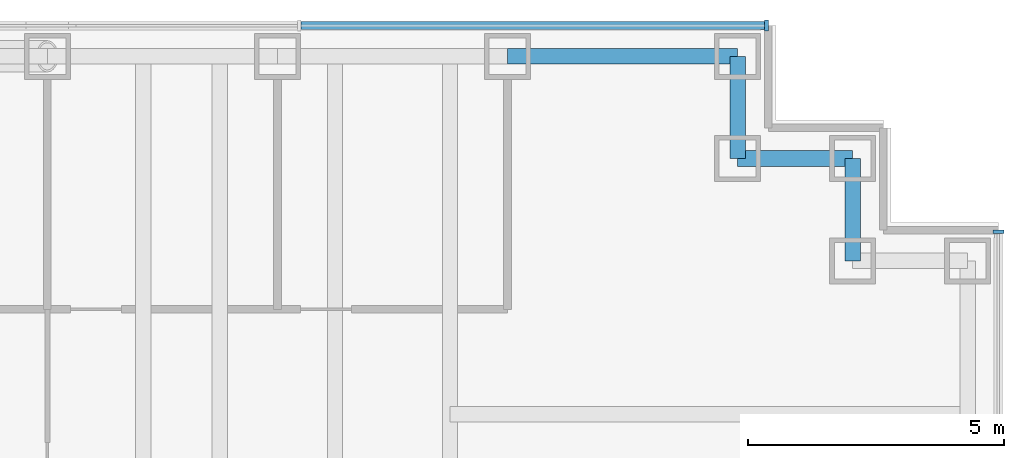
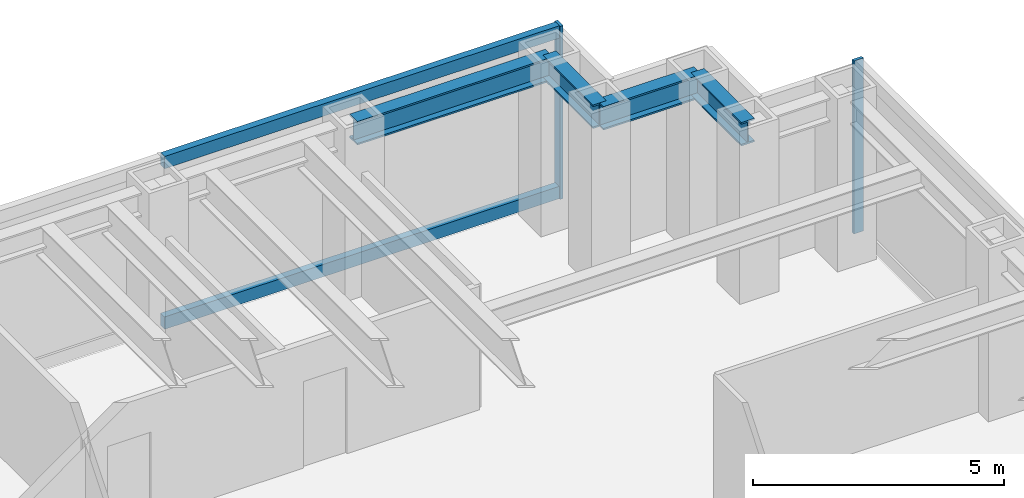
# One storey, part 9 of 19: 4 beams, 4 members, 2 elements without a shape of their own.
"""IFC4 building model written with IfcOpenShell, lengths in metres."""

from ifc_helpers import new_model, si_unit, direction, frame, origin, origin_2d, place, context, subcontext, project, spatial, rectangle, i_section, extrude, material, material_profile, profile_set, type_object, element, aggregate, save


model = new_model("IFC4")

# Units and contexts
model_context = context("Model", 3, precision=1e-05, world=origin(), true_north=direction((0.0, 1.0)))
body_context = subcontext(model_context, "Body", "Model", "MODEL_VIEW")
ifc_project = project(units=[si_unit("LENGTHUNIT", "METRE"), si_unit("AREAUNIT", "SQUARE_METRE"), si_unit("VOLUMEUNIT", "CUBIC_METRE"), si_unit("PLANEANGLEUNIT", "RADIAN"), si_unit("MASSUNIT", "GRAM", prefix="KILO")], contexts=[model_context])

# Site, building, storey
site_placement = place(None, origin())
site = spatial("IfcSite", under=ifc_project, at=site_placement, CompositionType="ELEMENT")
building_placement = place(site_placement, origin())
building = spatial("IfcBuilding", under=site, at=building_placement, Name="Rheinbord Bourse Tower", CompositionType="ELEMENT")
storey_placement = place(building_placement, frame((0.0, 0.0, 167.699951171875)))
storey = spatial("IfcBuildingStorey", under=building, at=storey_placement, Name="L37", CompositionType="ELEMENT", Elevation=167.699951171875)

# Curtain wall, member
ifc_material_1 = material(Name="Dark glass and black aluminium", Category="aluminium")
curtain_wall_type = type_object("IfcCurtainWallType", Name="CW2 DARK GLASS CURTAIN WALL", PredefinedType="USERDEFINED", material=ifc_material_1)
curtain_wall_1_placement = place(storey_placement, origin())
curtain_wall_1 = element("IfcCurtainWall", 1, at=curtain_wall_1_placement, inside=storey, type_object=curtain_wall_type, Name="Curtain wall CW2 E L37", ObjectType="UNITISED CURTAIN WALL", PredefinedType="USERDEFINED")
ifc_material_2 = material(Name="Black anodised aluminium", Category="aluminium")
ifc_material_profile_1 = material_profile(ifc_material_2, rectangle(XDim=0.219970703125, YDim=0.070068359375, at=origin_2d()), Name="CW2 MULLION 70x220")
ifc_profile_set_1 = profile_set([ifc_material_profile_1], Name="Black anodised aluminium")
member_type_1 = type_object("IfcMemberType", Name="CW2 BLACK MULLION", PredefinedType="MULLION", material=ifc_profile_set_1)
member_1_placement = place(storey_placement, frame((72.60009765625, 42.56494140625, 0.0), z_axis=(0.0, 0.0, 1.0), x_axis=(-1.0, 0.0, 0.0)))
member_1 = element("IfcMember", 2, at=member_1_placement, type_object=member_type_1, Name="CW2 mullion 6", PredefinedType="MULLION", context=body_context, shape_type="SweptSolid", body=[
    extrude(rectangle(XDim=0.219970703125, YDim=0.070068359375, at=origin_2d()), origin(), (0.0, 0.0, 1.0), 4.199951171875),
])
aggregate(curtain_wall_1, [member_1])

# Curtain wall, members
curtain_wall_2_placement = place(storey_placement, origin())
curtain_wall_2 = element("IfcCurtainWall", 3, at=curtain_wall_2_placement, inside=storey, type_object=curtain_wall_type, Name="Curtain wall CW2 N L37", ObjectType="UNITISED CURTAIN WALL", PredefinedType="USERDEFINED")
member_2_placement = place(storey_placement, frame((68.06494140625, 46.60009765625, 0.0), z_axis=(0.0, 0.0, 1.0), x_axis=(0.0, -1.0, 0.0)))
member_2 = element("IfcMember", 4, at=member_2_placement, type_object=member_type_1, Name="CW2 mullion 1", PredefinedType="MULLION", context=body_context, shape_type="SweptSolid", body=[
    extrude(rectangle(XDim=0.219970703125, YDim=0.070068359375, at=origin_2d()), origin(), (0.0, 0.0, 1.0), 4.199951171875),
])
ifc_material_3 = material(Name="Black anodised aluminium", Category="aluminium")
ifc_material_profile_2 = material_profile(ifc_material_3, rectangle(XDim=0.159912109375, YDim=0.300048828125, at=origin_2d()), Name="CW2 TRANSOM 300x160")
ifc_profile_set_2 = profile_set([ifc_material_profile_2], Name="Black anodised aluminium")
member_type_2 = type_object("IfcMemberType", Name="CW2 BLACK TRANSOM", PredefinedType="USERDEFINED", material=ifc_profile_set_2)
member_3_placement = place(storey_placement, frame((68.030029296875, 46.60009765625, 0.150146484375), z_axis=(-1.0, 0.0, 0.0), x_axis=(0.0, -1.0, 0.0)))
member_3 = element("IfcMember", 5, at=member_3_placement, type_object=member_type_2, Name="CW2 transom 1.1", ObjectType="TRANSOM", PredefinedType="USERDEFINED", context=body_context, shape_type="SweptSolid", body=[
    extrude(rectangle(XDim=0.159912109375, YDim=0.300048828125, at=origin_2d()), origin(), (0.0, 0.0, 1.0), 9.06640625),
])
member_4_placement = place(storey_placement, frame((68.030029296875, 46.60009765625, 4.050048828125), z_axis=(-1.0, 0.0, 0.0), x_axis=(0.0, -1.0, 0.0)))
member_4 = element("IfcMember", 6, at=member_4_placement, type_object=member_type_2, Name="CW2 transom 1.2", ObjectType="TRANSOM", PredefinedType="USERDEFINED", context=body_context, shape_type="SweptSolid", body=[
    extrude(rectangle(XDim=0.159912109375, YDim=0.300048828125, at=origin_2d()), origin(), (0.0, 0.0, 1.0), 9.06640625),
])
aggregate(curtain_wall_2, [member_2, member_3, member_4])

# Beams
ifc_material_4 = material(Name="Steel S460", Category="steel")
ifc_material_profile_3 = material_profile(ifc_material_4, i_section(OverallWidth=0.305908203125, OverallDepth=0.572021484375, WebThickness=0.02099609375, FlangeThickness=0.0400390625, at=origin_2d()), Name="HEM 550")
ifc_profile_set_3 = profile_set([ifc_material_profile_3], Name="Steel S460")
beam_type = type_object("IfcBeamType", Name="SPANDREL HEM 550", PredefinedType="SPANDREL", material=ifc_profile_set_3)
beam_1_placement = place(storey_placement, frame((69.75, 42.0, 3.754150390625), z_axis=(0.0, 1.0, 0.0), x_axis=(-1.0, 0.0, 0.0)))
element("IfcBeam", 7, at=beam_1_placement, inside=storey, type_object=beam_type, Name="Spandrel NE-B-NE-C under L38", PredefinedType="SPANDREL", context=body_context, shape_type="SweptSolid", body=[
    extrude(i_section(OverallWidth=0.305908203125, OverallDepth=0.572021484375, WebThickness=0.02099609375, FlangeThickness=0.0400390625, at=origin_2d()), origin(), (0.0, 0.0, 1.0), 2.0),
])
beam_2_placement = place(storey_placement, frame((69.75, 44.0, 3.754150390625), z_axis=(-1.0, 0.0, 0.0), x_axis=(0.0, -1.0, 0.0)))
element("IfcBeam", 8, at=beam_2_placement, inside=storey, type_object=beam_type, Name="Spandrel NE-C-NE-D under L38", PredefinedType="SPANDREL", context=body_context, shape_type="SweptSolid", body=[
    extrude(i_section(OverallWidth=0.305908203125, OverallDepth=0.572021484375, WebThickness=0.02099609375, FlangeThickness=0.0400390625, at=origin_2d()), origin(), (0.0, 0.0, 1.0), 2.25),
])
beam_3_placement = place(storey_placement, frame((67.5, 44.0, 3.754150390625), z_axis=(0.0, 1.0, 0.0), x_axis=(-1.0, 0.0, 0.0)))
element("IfcBeam", 9, at=beam_3_placement, inside=storey, type_object=beam_type, Name="Spandrel NE-D-NE-E under L38", PredefinedType="SPANDREL", context=body_context, shape_type="SweptSolid", body=[
    extrude(i_section(OverallWidth=0.305908203125, OverallDepth=0.572021484375, WebThickness=0.02099609375, FlangeThickness=0.0400390625, at=origin_2d()), origin(), (0.0, 0.0, 1.0), 2.0),
])
beam_4_placement = place(storey_placement, frame((67.5, 46.0, 3.754150390625), z_axis=(-1.0, 0.0, 0.0), x_axis=(0.0, -1.0, 0.0)))
element("IfcBeam", 10, at=beam_4_placement, inside=storey, type_object=beam_type, Name="Spandrel NE-E-N-63 under L38", PredefinedType="SPANDREL", context=body_context, shape_type="SweptSolid", body=[
    extrude(i_section(OverallWidth=0.305908203125, OverallDepth=0.572021484375, WebThickness=0.02099609375, FlangeThickness=0.0400390625, at=origin_2d()), origin(), (0.0, 0.0, 1.0), 4.5),
])

save(model, "model.ifc")
